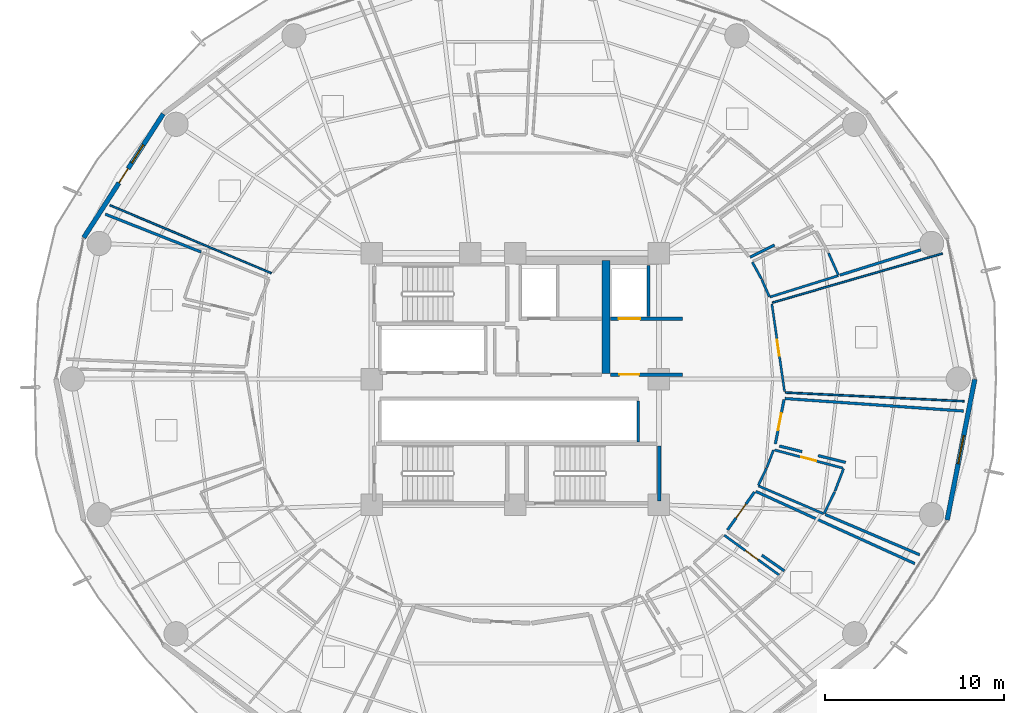
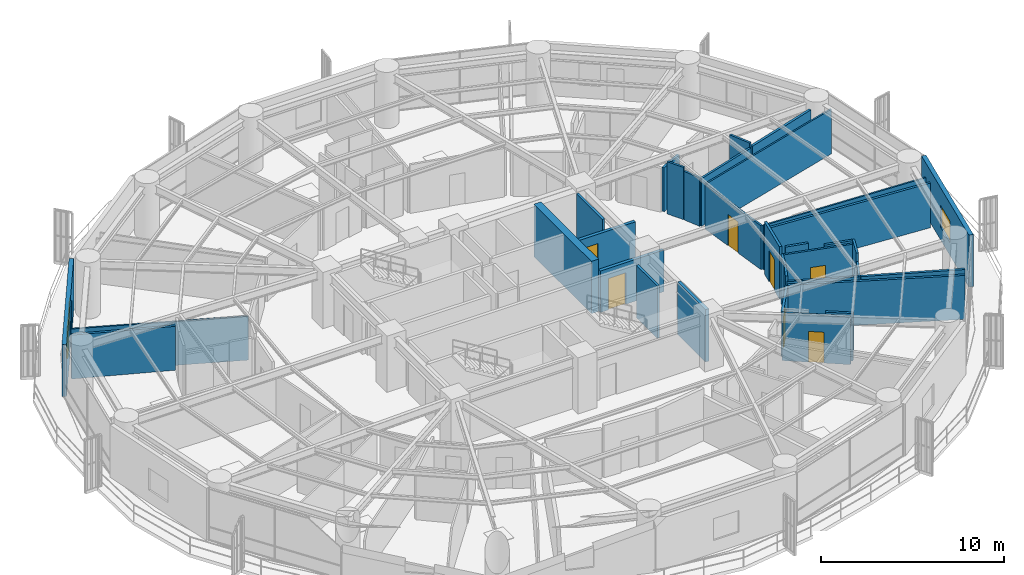
# One storey, part 31 of 37: 34 walls, 8 doors, 2 windows, 10 openings.
"""IFC4 building model written with IfcOpenShell, lengths in metres."""

from ifc_helpers import new_model, si_unit, direction, frame, frame_2d, origin, place, context, subcontext, project, spatial, rectangle, extrude, material, layer, layer_set, type_object, element, fill, save


model = new_model("IFC4")

# Units and contexts
model_context = context("Model", 3, precision=1e-05, world=origin(), true_north=direction((0.0, 1.0)))
body_context = subcontext(model_context, "Body", "Model", "MODEL_VIEW")
ifc_project = project(units=[si_unit("LENGTHUNIT", "METRE"), si_unit("AREAUNIT", "SQUARE_METRE"), si_unit("VOLUMEUNIT", "CUBIC_METRE"), si_unit("PLANEANGLEUNIT", "RADIAN"), si_unit("MASSUNIT", "GRAM", prefix="KILO")], contexts=[model_context])

# Site, building, storey
site_placement = place(None, origin())
site = spatial("IfcSite", under=ifc_project, at=site_placement, CompositionType="ELEMENT")
building_placement = place(site_placement, origin())
building = spatial("IfcBuilding", under=site, at=building_placement, Name="Kelanora Arch Commons", CompositionType="ELEMENT")
storey_placement = place(building_placement, frame((0.0, 0.0, 110.10009765625)))
storey = spatial("IfcBuildingStorey", under=building, at=storey_placement, Name="L28", CompositionType="ELEMENT", Elevation=110.10009765625)

# Walls
ifc_material_1 = material(Name="Autoclaved aerated concrete blockwork with fire plaster", Category="masonry")
ifc_layer_1 = layer(ifc_material_1, 0.14990234375)
ifc_layer_set_1 = layer_set([ifc_layer_1], Name="Autoclaved aerated concrete blockwork with fire plaster")
wall_type_1 = type_object("IfcWallType", Name="W-COMP-150", PredefinedType="PARTITIONING", material=ifc_layer_set_1)
wall_1_placement = place(storey_placement, frame((81.419921875, 61.47998046875, 0.0), z_axis=(0.0, 0.0, 1.0), x_axis=(0.0, 1.0, 0.0)))
element("IfcWall", 1, at=wall_1_placement, inside=storey, type_object=wall_type_1, Name="Firefighting Lift 2 East Shaft Wall L28", PredefinedType="PARTITIONING", context=body_context, shape_type="SweptSolid", body=[
    extrude(rectangle(XDim=2.840087890625, YDim=0.14990234375, at=frame_2d((1.419921875, 0.0))), origin(), (0.0, 0.0, 1.0), 3.47998046875),
])
wall_2_placement = place(storey_placement, frame((80.840087890625, 54.47998046875, 0.0), z_axis=(0.0, 0.0, 1.0), x_axis=(0.0, 1.0, 0.0)))
element("IfcWall", 2, at=wall_2_placement, inside=storey, type_object=wall_type_1, Name="South Lift Bank East Wall L28", PredefinedType="PARTITIONING", context=body_context, shape_type="SweptSolid", body=[
    extrude(rectangle(XDim=2.2900390625, YDim=0.14990234375, at=frame_2d((1.14501953125, 0.0))), origin(), (0.0, 0.0, 1.0), 3.47998046875),
])

# Wall, opening, door
wall_3_placement = place(storey_placement, frame((85.82080078125, 49.5908203125, 0.0), z_axis=(0.0, 0.0, 1.0), x_axis=(0.579332158596, 0.815091559284, 0.0)))
wall_3 = element("IfcWall", 3, at=wall_3_placement, inside=storey, type_object=wall_type_1, Name="Co-Living Studio L28-02 Entry Partition", PredefinedType="PARTITIONING", context=body_context, shape_type="SweptSolid", body=[
    extrude(rectangle(XDim=2.594970703125, YDim=0.14990234375, at=frame_2d((1.29736328125, 0.0))), origin(), (0.0, 0.0, 1.0), 2.9248046875),
])
opening_1_placement = place(wall_3_placement, frame((0.822998046875, 0.0, 0.0)))
opening_1 = element("IfcOpeningElement", 4, at=opening_1_placement, cuts=wall_3, Name="Opening D-CLU1", PredefinedType="OPENING", context=body_context, shape_type="SweptSolid", body=[
    extrude(rectangle(XDim=0.949951171875, YDim=2.080078125, at=frame_2d((0.47509765625, 1.0400390625))), frame((0.0, 0.0849609375, 0.0), z_axis=(0.0, -1.0, 0.0), x_axis=(1.0, 0.0, 0.0)), (0.0, 0.0, 1.0), 0.169921875),
])
ifc_material_2 = material(Name="Solid-core acoustic timber cluster entry fire door", Category="wood")
door_type_1 = type_object("IfcDoorType", Name="D-CLU-95", OperationType="NOTDEFINED", PredefinedType="DOOR", material=ifc_material_2)
door_1_placement = place(opening_1_placement, origin())
door_1 = element("IfcDoor", 5, at=door_1_placement, inside=storey, type_object=door_type_1, Name="Co-Living Studio L28-02 Door", OperationType="SINGLE_SWING_LEFT", OverallHeight=2.080078125, OverallWidth=0.949951171875, PredefinedType="DOOR", context=body_context, shape_type="SweptSolid", body=[
    extrude(rectangle(XDim=0.949951171875, YDim=2.080078125, at=frame_2d((0.47509765625, 1.0400390625))), frame((0.0, 0.02490234375, 0.0), z_axis=(0.0, -1.0, 0.0), x_axis=(1.0, 0.0, 0.0)), (0.0, 0.0, 1.0), 0.050048828125),
])
fill(opening_1, door_1)

wall_4_placement = place(storey_placement, frame((88.484619140625, 54.3837890625, 0.0), z_axis=(0.0, 0.0, 1.0), x_axis=(0.192670392626, 0.981263532292, 0.0)))
wall_4 = element("IfcWall", 6, at=wall_4_placement, inside=storey, type_object=wall_type_1, Name="Co-Living Studio L28-03 Entry Partition", PredefinedType="PARTITIONING", context=body_context, shape_type="SweptSolid", body=[
    extrude(rectangle(XDim=2.521728515625, YDim=0.14990234375, at=frame_2d((1.2607421875, 0.0))), origin(), (0.0, 0.0, 1.0), 3.47998046875),
])
opening_2_placement = place(wall_4_placement, frame((0.785888671875, 0.0, 0.0)))
opening_2 = element("IfcOpeningElement", 7, at=opening_2_placement, cuts=wall_4, Name="Opening D-CLU1", PredefinedType="OPENING", context=body_context, shape_type="SweptSolid", body=[
    extrude(rectangle(XDim=0.949951171875, YDim=2.080078125, at=frame_2d((0.47509765625, 1.0400390625))), frame((0.0, 0.0849609375, 0.0), z_axis=(0.0, -1.0, 0.0), x_axis=(1.0, 0.0, 0.0)), (0.0, 0.0, 1.0), 0.169921875),
])
door_2_placement = place(opening_2_placement, origin())
door_2 = element("IfcDoor", 8, at=door_2_placement, inside=storey, type_object=door_type_1, Name="Co-Living Studio L28-03 Door", OperationType="SINGLE_SWING_LEFT", OverallHeight=2.080078125, OverallWidth=0.949951171875, PredefinedType="DOOR", context=body_context, shape_type="SweptSolid", body=[
    extrude(rectangle(XDim=0.949951171875, YDim=2.080078125, at=frame_2d((0.47509765625, 1.0400390625))), frame((0.0, 0.02490234375, 0.0), z_axis=(0.0, -1.0, 0.0), x_axis=(1.0, 0.0, 0.0)), (0.0, 0.0, 1.0), 0.050048828125),
])
fill(opening_2, door_2)

# Walls
wall_5_placement = place(storey_placement, frame((87.3955078125, 51.738525390625, 0.0), z_axis=(0.0, 0.0, 1.0), x_axis=(0.910573449225, -0.413347303809, 0.0)))
element("IfcWall", 9, at=wall_5_placement, inside=storey, type_object=wall_type_1, Name="Co-Living Studio L28-02 Enclosure Partition 2", PredefinedType="PARTITIONING", context=body_context, shape_type="SweptSolid", body=[
    extrude(rectangle(XDim=9.730224609375, YDim=0.14990234375, at=frame_2d((4.865234375, 0.0))), origin(), (0.0, 0.0, 1.0), 2.9248046875),
])
wall_6_placement = place(storey_placement, frame((88.984130859375, 47.31298828125, 0.0), z_axis=(0.0, 0.0, 1.0), x_axis=(-0.820375371548, 0.571825366486, 0.0)))
element("IfcWall", 10, at=wall_6_placement, inside=storey, type_object=wall_type_1, Name="Co-Living Studio L28-02 Enclosure Partition 7", PredefinedType="PARTITIONING", context=body_context, shape_type="SweptSolid", body=[
    extrude(rectangle(XDim=1.5224609375, YDim=0.14990234375, at=frame_2d((0.76123046875, 0.0))), origin(), (0.0, 0.0, 1.0), 3.1748046875),
])
wall_7_placement = place(storey_placement, frame((89.02197265625, 56.914306640625, 0.0), z_axis=(0.0, 0.0, 1.0), x_axis=(0.997546611002, -0.070005420344, 0.0)))
element("IfcWall", 11, at=wall_7_placement, inside=storey, type_object=wall_type_1, Name="Co-Living Studio L28-03 Enclosure Partition 2", PredefinedType="PARTITIONING", context=body_context, shape_type="SweptSolid", body=[
    extrude(rectangle(XDim=9.963623046875, YDim=0.14990234375, at=frame_2d((4.98193359375, 0.0))), origin(), (0.0, 0.0, 1.0), 2.974853515625),
])
wall_8_placement = place(storey_placement, frame((96.529296875, 48.206787109375, 0.0), z_axis=(0.0, 0.0, 1.0), x_axis=(-0.919671747219, 0.392688015308, 0.0)))
element("IfcWall", 12, at=wall_8_placement, inside=storey, type_object=wall_type_1, Name="Co-Living Studio L28-03 Enclosure Partition 5", PredefinedType="PARTITIONING", context=body_context, shape_type="SweptSolid", body=[
    extrude(rectangle(XDim=5.720947265625, YDim=0.14990234375, at=frame_2d((2.8603515625, 0.0))), origin(), (0.0, 0.0, 1.0), 2.9248046875),
])
wall_9_placement = place(storey_placement, frame((92.402099609375, 53.355712890625, 0.0), z_axis=(0.0, 0.0, 1.0), x_axis=(-0.97090160449, 0.23947875563, 0.0)))
element("IfcWall", 13, at=wall_9_placement, inside=storey, type_object=wall_type_1, Name="Co-Living Studio L28-03 Enclosure Partition 7", PredefinedType="PARTITIONING", context=body_context, shape_type="SweptSolid", body=[
    extrude(rectangle(XDim=1.5791015625, YDim=0.14990234375, at=frame_2d((0.78955078125, 0.0))), origin(), (0.0, 0.0, 1.0), 3.1748046875),
])
wall_10_placement = place(storey_placement, frame((89.9755859375, 53.954345703125, 0.0), z_axis=(0.0, 0.0, 1.0), x_axis=(-0.97090790697, 0.23945320249, 0.0)))
element("IfcWall", 14, at=wall_10_placement, inside=storey, type_object=wall_type_1, Name="Co-Living Studio L28-03 Enclosure Partition 7", PredefinedType="PARTITIONING", context=body_context, shape_type="SweptSolid", body=[
    extrude(rectangle(XDim=1.30517578125, YDim=0.14990234375, at=frame_2d((0.652587890625, 0.0))), origin(), (0.0, 0.0, 1.0), 3.47998046875),
])
wall_11_placement = place(storey_placement, frame((96.587646484375, 65.197998046875, 0.0), z_axis=(0.0, 0.0, 1.0), x_axis=(-0.954386046758, -0.298575407148, 0.0)))
element("IfcWall", 15, at=wall_11_placement, inside=storey, type_object=wall_type_1, Name="Co-Living Studio L28-05 Enclosure Partition 5", PredefinedType="PARTITIONING", context=body_context, shape_type="SweptSolid", body=[
    extrude(rectangle(XDim=4.7197265625, YDim=0.14990234375, at=frame_2d((2.35986328125, 0.0))), origin(), (0.0, 0.0, 1.0), 3.23486328125),
])
wall_12_placement = place(storey_placement, frame((88.433837890625, 65.47119140625, 0.0), z_axis=(0.0, 0.0, 1.0), x_axis=(-0.893103040094, -0.44985215324, 0.0)))
element("IfcWall", 16, at=wall_12_placement, inside=storey, type_object=wall_type_1, Name="Co-Living Studio L28-05 Enclosure Partition 7", PredefinedType="PARTITIONING", context=body_context, shape_type="SweptSolid", body=[
    extrude(rectangle(XDim=1.516357421875, YDim=0.14990234375, at=frame_2d((0.75830078125, 0.0))), origin(), (0.0, 0.0, 1.0), 2.9248046875),
])
wall_13_placement = place(storey_placement, frame((51.1533203125, 67.185302734375, 0.0), z_axis=(0.0, 0.0, 1.0), x_axis=(0.930084837922, -0.367344789358, 0.0)))
element("IfcWall", 17, at=wall_13_placement, inside=storey, type_object=wall_type_1, Name="Co-Living Studio L28-11 Enclosure Partition 5", PredefinedType="PARTITIONING", context=body_context, shape_type="SweptSolid", body=[
    extrude(rectangle(XDim=5.737548828125, YDim=0.14990234375, at=frame_2d((2.86865234375, 0.0))), origin(), (0.0, 0.0, 1.0), 2.9248046875),
])
ifc_material_3 = material(Name="Concrete C60/75", Category="concrete")
ifc_layer_2 = layer(ifc_material_3, 0.449951171875)
ifc_layer_set_2 = layer_set([ifc_layer_2], Name="Concrete C60/75")
wall_type_2 = type_object("IfcWallType", Name="W-CORE-450", PredefinedType="SHEAR", material=ifc_layer_set_2)
wall_14_placement = place(storey_placement, frame((79.050048828125, 58.300048828125, 0.0), z_axis=(0.0, 0.0, 1.0), x_axis=(0.0, 1.0, 0.0)))
element("IfcWall", 18, at=wall_14_placement, inside=storey, type_object=wall_type_2, Name="Core Shear Spine L28-CE-N", PredefinedType="SHEAR", context=body_context, shape_type="SweptSolid", body=[
    extrude(rectangle(XDim=6.300048828125, YDim=0.449951171875, at=frame_2d((3.14990234375, 0.0))), origin(), (0.0, 0.0, 1.0), 3.489990234375),
])

# Wall, openings, door, window
ifc_material_4 = material(Name="Precast concrete C40/50 with terracotta rainscreen", Category="masonry")
ifc_layer_3 = layer(ifc_material_4, 0.260009765625)
ifc_layer_set_3 = layer_set([ifc_layer_3], Name="Precast concrete C40/50 with terracotta rainscreen")
wall_type_3 = type_object("IfcWallType", Name="W-EXT-TC", PredefinedType="SOLIDWALL", material=ifc_layer_set_3)
wall_15_placement = place(storey_placement, frame((54.381103515625, 72.771484375, 0.0), z_axis=(0.0, 0.0, 1.0), x_axis=(-0.540620528459, -0.841266571432, 0.0)))
wall_15 = element("IfcWall", 19, at=wall_15_placement, inside=storey, type_object=wall_type_3, Name="Terracotta Exterior Wall L28-B07", PredefinedType="SOLIDWALL", context=body_context, shape_type="SweptSolid", body=[
    extrude(rectangle(XDim=8.19287109375, YDim=0.260009765625, at=frame_2d((4.096435546875, 0.0))), origin(), (0.0, 0.0, 1.0), 3.474853515625),
])
opening_3_placement = place(wall_15_placement, frame((3.62109375, 0.0, 0.0)))
opening_3 = element("IfcOpeningElement", 20, at=opening_3_placement, cuts=wall_15, Name="Opening DB-01", PredefinedType="OPENING", context=body_context, shape_type="SweptSolid", body=[
    extrude(rectangle(XDim=0.949951171875, YDim=2.10009765625, at=frame_2d((0.47509765625, 1.050048828125))), frame((0.0, 0.14013671875, 0.0), z_axis=(0.0, -1.0, 0.0), x_axis=(1.0, 0.0, 0.0)), (0.0, 0.0, 1.0), 0.280029296875),
])
opening_4_placement = place(wall_15_placement, frame((2.041015625, 0.0, 0.85009765625)))
opening_4 = element("IfcOpeningElement", 21, at=opening_4_placement, cuts=wall_15, Name="Opening WN-02", PredefinedType="OPENING", context=body_context, shape_type="SweptSolid", body=[
    extrude(rectangle(XDim=1.199951171875, YDim=1.449951171875, at=frame_2d((0.60009765625, 0.72509765625))), frame((0.0, 0.14013671875, 0.0), z_axis=(0.0, -1.0, 0.0), x_axis=(1.0, 0.0, 0.0)), (0.0, 0.0, 1.0), 0.280029296875),
])
ifc_material_5 = material(Name="Terracotta-aluminium thermally broken glazed balcony door", Category="masonry")
door_type_2 = type_object("IfcDoorType", Name="D-BAL-10", OperationType="NOTDEFINED", PredefinedType="DOOR", material=ifc_material_5)
door_3_placement = place(opening_3_placement, frame((0.949951171875, 0.0, 0.0), z_axis=(0.0, 0.0, 1.0), x_axis=(-1.0, 0.0, 0.0)))
door_3 = element("IfcDoor", 22, at=door_3_placement, inside=storey, type_object=door_type_2, Name="Wave Balcony Door L28-B07", OperationType="SINGLE_SWING_RIGHT", OverallHeight=2.10009765625, OverallWidth=0.949951171875, PredefinedType="DOOR", context=body_context, shape_type="SweptSolid", body=[
    extrude(rectangle(XDim=0.949951171875, YDim=2.10009765625, at=frame_2d((0.47509765625, 1.050048828125))), frame((0.0, 0.02490234375, 0.0), z_axis=(0.0, -1.0, 0.0), x_axis=(1.0, 0.0, 0.0)), (0.0, 0.0, 1.0), 0.050048828125),
])
fill(opening_3, door_3)
ifc_material_6 = material(Name="Terracotta-anodised aluminium frame with operable awning sash", Category="masonry")
window_type_1 = type_object("IfcWindowType", Name="WIN-CL-12", PartitioningType="SINGLE_PANEL", PredefinedType="WINDOW", material=ifc_material_6)
window_1_placement = place(opening_4_placement, origin())
window_1 = element("IfcWindow", 23, at=window_1_placement, inside=storey, type_object=window_type_1, Name="Co-Living Operable Window L28-B07", OverallHeight=1.449951171875, OverallWidth=1.199951171875, PartitioningType="SINGLE_PANEL", PredefinedType="WINDOW", context=body_context, shape_type="SweptSolid", body=[
    extrude(rectangle(XDim=1.199951171875, YDim=1.449951171875, at=frame_2d((0.60009765625, 0.72509765625))), frame((0.0, 0.030029296875, 0.0), z_axis=(0.0, -1.0, 0.0), x_axis=(1.0, 0.0, 0.0)), (0.0, 0.0, 1.0), 0.06005859375),
])
fill(opening_4, window_1)

# Wall, opening, window
wall_16_placement = place(storey_placement, frame((98.05908203125, 50.148193359375, 0.0), z_axis=(0.0, 0.0, 1.0), x_axis=(0.192581843632, 0.981280914674, 0.0)))
wall_16 = element("IfcWall", 24, at=wall_16_placement, inside=storey, type_object=wall_type_3, Name="Terracotta Exterior Wall L28-B17", PredefinedType="SOLIDWALL", context=body_context, shape_type="SweptSolid", body=[
    extrude(rectangle(XDim=7.986572265625, YDim=0.260009765625, at=frame_2d((3.9931640625, 0.0))), origin(), (0.0, 0.0, 1.0), 3.474853515625),
])
opening_5_placement = place(wall_16_placement, frame((3.193115234375, 0.0, 0.85009765625)))
opening_5 = element("IfcOpeningElement", 25, at=opening_5_placement, cuts=wall_16, Name="Opening WN-01", PredefinedType="OPENING", context=body_context, shape_type="SweptSolid", body=[
    extrude(rectangle(XDim=1.60009765625, YDim=1.449951171875, at=frame_2d((0.800048828125, 0.72509765625))), frame((0.0, 0.14013671875, 0.0), z_axis=(0.0, -1.0, 0.0), x_axis=(1.0, 0.0, 0.0)), (0.0, 0.0, 1.0), 0.280029296875),
])
ifc_material_7 = material(Name="Terracotta-anodised aluminium frame with operable low-E glazing", Category="masonry")
window_type_2 = type_object("IfcWindowType", Name="WIN-CL-18", PartitioningType="DOUBLE_PANEL_VERTICAL", PredefinedType="WINDOW", material=ifc_material_7)
window_2_placement = place(opening_5_placement, origin())
window_2 = element("IfcWindow", 26, at=window_2_placement, inside=storey, type_object=window_type_2, Name="Co-Living Operable Window L28-B17", OverallHeight=1.449951171875, OverallWidth=1.60009765625, PartitioningType="SINGLE_PANEL", PredefinedType="WINDOW", context=body_context, shape_type="SweptSolid", body=[
    extrude(rectangle(XDim=1.60009765625, YDim=1.449951171875, at=frame_2d((0.800048828125, 0.72509765625))), frame((0.0, 0.030029296875, 0.0), z_axis=(0.0, -1.0, 0.0), x_axis=(1.0, 0.0, 0.0)), (0.0, 0.0, 1.0), 0.06005859375),
])
fill(opening_5, window_2)

# Wall, opening, door
ifc_material_8 = material(Name="Concrete C40/50", Category="concrete")
ifc_layer_4 = layer(ifc_material_8, 0.199951171875)
ifc_layer_set_4 = layer_set([ifc_layer_4], Name="Concrete C40/50")
wall_type_4 = type_object("IfcWallType", Name="W-FFL-200", PredefinedType="SOLIDWALL", material=ifc_layer_set_4)
wall_17_placement = place(storey_placement, frame((79.300048828125, 61.35009765625, 0.0), z_axis=(0.0, 0.0, 1.0), x_axis=(1.0, 0.0, 0.0)))
wall_17 = element("IfcWall", 27, at=wall_17_placement, inside=storey, type_object=wall_type_4, Name="Firefighting Lift 2 Shaft Front L28", PredefinedType="SOLIDWALL", context=body_context, shape_type="SweptSolid", body=[
    extrude(rectangle(XDim=4.0, YDim=0.199951171875, at=frame_2d((2.0, 0.0))), origin(), (0.0, 0.0, 1.0), 2.77490234375),
])
opening_6_placement = place(wall_17_placement, frame((0.449951171875, 0.0, 0.0)))
opening_6 = element("IfcOpeningElement", 28, at=opening_6_placement, cuts=wall_17, Name="Opening LD-FF", PredefinedType="OPENING", context=body_context, shape_type="SweptSolid", body=[
    extrude(rectangle(XDim=1.199951171875, YDim=2.14990234375, at=frame_2d((0.60009765625, 1.074951171875))), frame((0.0, 0.10986328125, 0.0), z_axis=(0.0, -1.0, 0.0), x_axis=(1.0, 0.0, 0.0)), (0.0, 0.0, 1.0), 0.219970703125),
])
ifc_material_9 = material(Name="Fire-rated firefighters lift sliding landing door")
door_type_3 = type_object("IfcDoorType", Name="D-LIFT-FF", OperationType="NOTDEFINED", PredefinedType="DOOR", material=ifc_material_9)
door_4_placement = place(opening_6_placement, origin())
door_4 = element("IfcDoor", 29, at=door_4_placement, inside=storey, type_object=door_type_3, Name="Firefighting Lift LF-FF2 Landing Door L28", OperationType="DOUBLE_DOOR_SLIDING", OverallHeight=2.14990234375, OverallWidth=1.199951171875, PredefinedType="DOOR", context=body_context, shape_type="SweptSolid", body=[
    extrude(rectangle(XDim=1.199951171875, YDim=2.14990234375, at=frame_2d((0.60009765625, 1.074951171875))), frame((0.0, 0.02490234375, 0.0), z_axis=(0.0, -1.0, 0.0), x_axis=(1.0, 0.0, 0.0)), (0.0, 0.0, 1.0), 0.050048828125),
])
fill(opening_6, door_4)

wall_18_placement = place(storey_placement, frame((79.300048828125, 58.25, 0.0), z_axis=(0.0, 0.0, 1.0), x_axis=(1.0, 0.0, 0.0)))
wall_18 = element("IfcWall", 30, at=wall_18_placement, inside=storey, type_object=wall_type_4, Name="Firefighting Lobby 2 Enclosure Wall L28", PredefinedType="SOLIDWALL", context=body_context, shape_type="SweptSolid", body=[
    extrude(rectangle(XDim=4.0, YDim=0.199951171875, at=frame_2d((2.0, 0.0))), origin(), (0.0, 0.0, 1.0), 2.77490234375),
])
opening_7_placement = place(wall_18_placement, frame((0.5, 0.0, 0.0)))
opening_7 = element("IfcOpeningElement", 31, at=opening_7_placement, cuts=wall_18, Name="Opening D-FFL1", PredefinedType="OPENING", context=body_context, shape_type="SweptSolid", body=[
    extrude(rectangle(XDim=1.10009765625, YDim=2.10009765625, at=frame_2d((0.550048828125, 1.050048828125))), frame((0.0, 0.10986328125, 0.0), z_axis=(0.0, -1.0, 0.0), x_axis=(1.0, 0.0, 0.0)), (0.0, 0.0, 1.0), 0.219970703125),
])
ifc_material_10 = material(Name="Smoke-sealed firefighting lobby fire door")
door_type_4 = type_object("IfcDoorType", Name="D-FFL-110", OperationType="NOTDEFINED", PredefinedType="DOOR", material=ifc_material_10)
door_5_placement = place(opening_7_placement, frame((1.10009765625, 0.0, 0.0), z_axis=(0.0, 0.0, 1.0), x_axis=(-1.0, 0.0, 0.0)))
door_5 = element("IfcDoor", 32, at=door_5_placement, inside=storey, type_object=door_type_4, Name="Firefighting Lobby 2 Door L28", OperationType="SINGLE_SWING_RIGHT", OverallHeight=2.10009765625, OverallWidth=1.10009765625, PredefinedType="DOOR", context=body_context, shape_type="SweptSolid", body=[
    extrude(rectangle(XDim=1.10009765625, YDim=2.10009765625, at=frame_2d((0.550048828125, 1.050048828125))), frame((0.0, 0.02490234375, 0.0), z_axis=(0.0, -1.0, 0.0), x_axis=(1.0, 0.0, 0.0)), (0.0, 0.0, 1.0), 0.050048828125),
])
fill(opening_7, door_5)

# Walls
ifc_material_11 = material(Name="Lightweight fire-rated acoustic stud partition")
ifc_layer_5 = layer(ifc_material_11, 0.10009765625)
ifc_layer_set_5 = layer_set([ifc_layer_5], Name="Lightweight fire-rated acoustic stud partition")
wall_type_5 = type_object("IfcWallType", Name="W-PART-100", PredefinedType="PARTITIONING", material=ifc_layer_set_5)
wall_19_placement = place(storey_placement, frame((88.3203125, 62.258056640625, 0.0), z_axis=(0.0, 0.0, 1.0), x_axis=(0.960729440591, 0.277486832086, 0.0)))
element("IfcWall", 33, at=wall_19_placement, inside=storey, type_object=wall_type_5, Name="Communal Dining and Social Hall L28-04 Enclosure Partition 2", PredefinedType="PARTITIONING", context=body_context, shape_type="SweptSolid", body=[
    extrude(rectangle(XDim=9.859375, YDim=0.10009765625, at=frame_2d((4.9296875, 0.0))), origin(), (0.0, 0.0, 1.0), 2.974853515625),
])
wall_20_placement = place(storey_placement, frame((99.001953125, 56.763916015625, 0.0), z_axis=(0.0, 0.0, 1.0), x_axis=(-0.998824271059, 0.048477577742, 0.0)))
element("IfcWall", 34, at=wall_20_placement, inside=storey, type_object=wall_type_5, Name="Communal Dining and Social Hall L28-04 Enclosure Partition 4", PredefinedType="PARTITIONING", context=body_context, shape_type="SweptSolid", body=[
    extrude(rectangle(XDim=9.966552734375, YDim=0.10009765625, at=frame_2d((4.9833984375, 0.0))), origin(), (0.0, 0.0, 1.0), 2.974853515625),
])
wall_21_placement = place(storey_placement, frame((60.404052734375, 63.8955078125, 0.0), z_axis=(0.0, 0.0, 1.0), x_axis=(-0.921616535876, 0.388101740268, 0.0)))
element("IfcWall", 35, at=wall_21_placement, inside=storey, type_object=wall_type_5, Name="Communal Dining and Social Hall L28-10 Enclosure Partition 2", PredefinedType="PARTITIONING", context=body_context, shape_type="SweptSolid", body=[
    extrude(rectangle(XDim=9.758056640625, YDim=0.10009765625, at=frame_2d((4.87890625, 0.0))), origin(), (0.0, 0.0, 1.0), 2.9248046875),
])

# Wall, opening, door
ifc_material_12 = material(Name="Acoustic twin-stud fire-rated gypsum partition")
ifc_layer_6 = layer(ifc_material_12, 0.1201171875)
ifc_layer_set_6 = layer_set([ifc_layer_6], Name="Acoustic twin-stud fire-rated gypsum partition")
wall_type_6 = type_object("IfcWallType", Name="W-PART-120", PredefinedType="PARTITIONING", material=ifc_layer_set_6)
wall_22_placement = place(storey_placement, frame((88.998291015625, 57.308349609375, 0.0), z_axis=(0.0, 0.0, 1.0), x_axis=(-0.143556297193, 0.989642152263, 0.0)))
wall_22 = element("IfcWall", 36, at=wall_22_placement, inside=storey, type_object=wall_type_6, Name="Communal Dining and Social Hall L28-04 Entry Partition", PredefinedType="PARTITIONING", context=body_context, shape_type="SweptSolid", body=[
    extrude(rectangle(XDim=4.93017578125, YDim=0.1201171875, at=frame_2d((2.465087890625, 0.0))), origin(), (0.0, 0.0, 1.0), 2.9248046875),
])
opening_8_placement = place(wall_22_placement, frame((2.014892578125, 0.0, 0.0)))
opening_8 = element("IfcOpeningElement", 37, at=opening_8_placement, cuts=wall_22, Name="Opening D-RM1", PredefinedType="OPENING", context=body_context, shape_type="SweptSolid", body=[
    extrude(rectangle(XDim=0.89990234375, YDim=2.080078125, at=frame_2d((0.449951171875, 1.0400390625))), frame((0.0, 0.070068359375, 0.0), z_axis=(0.0, -1.0, 0.0), x_axis=(1.0, 0.0, 0.0)), (0.0, 0.0, 1.0), 0.14013671875),
])
ifc_material_13 = material(Name="Acoustic fire-rated timber study and lounge door", Category="wood")
door_type_5 = type_object("IfcDoorType", Name="D-ROOM-90", OperationType="NOTDEFINED", PredefinedType="DOOR", material=ifc_material_13)
door_6_placement = place(opening_8_placement, origin())
door_6 = element("IfcDoor", 38, at=door_6_placement, inside=storey, type_object=door_type_5, Name="Communal Dining and Social Hall L28-04 Door", OperationType="SINGLE_SWING_RIGHT", OverallHeight=2.080078125, OverallWidth=0.89990234375, PredefinedType="DOOR", context=body_context, shape_type="SweptSolid", body=[
    extrude(rectangle(XDim=0.89990234375, YDim=2.080078125, at=frame_2d((0.449951171875, 1.0400390625))), frame((0.0, 0.02490234375, 0.0), z_axis=(0.0, -1.0, 0.0), x_axis=(1.0, 0.0, 0.0)), (0.0, 0.0, 1.0), 0.050048828125),
])
fill(opening_8, door_6)

# Wall
ifc_layer_7 = layer(ifc_material_8, 0.199951171875)
ifc_layer_set_7 = layer_set([ifc_layer_7], Name="Concrete C40/50")
wall_type_7 = type_object("IfcWallType", Name="W-STAIR-200", PredefinedType="SHEAR", material=ifc_layer_set_7)
wall_23_placement = place(storey_placement, frame((82.02001953125, 51.199951171875, 0.0), z_axis=(0.0, 0.0, 1.0), x_axis=(0.0, 1.0, 0.0)))
element("IfcWall", 39, at=wall_23_placement, inside=storey, type_object=wall_type_7, Name="Stair ST-T2 Shaft Wall E L28", PredefinedType="SHEAR", context=body_context, shape_type="SweptSolid", body=[
    extrude(rectangle(XDim=3.070068359375, YDim=0.199951171875, at=frame_2d((1.53515625, 0.0))), origin(), (0.0, 0.0, 1.0), 3.489990234375),
])

# Wall, opening, door
ifc_material_14 = material(Name="Moisture-resistant fire-rated cement-board plumbing wall")
ifc_layer_8 = layer(ifc_material_14, 0.1298828125)
ifc_layer_set_8 = layer_set([ifc_layer_8], Name="Moisture-resistant fire-rated cement-board plumbing wall")
wall_type_8 = type_object("IfcWallType", Name="W-WET-120", PredefinedType="PLUMBINGWALL", material=ifc_layer_set_8)
wall_24_placement = place(storey_placement, frame((85.64453125, 49.293701171875, 0.0), z_axis=(0.0, 0.0, 1.0), x_axis=(0.809536550173, -0.587069479647, 0.0)))
wall_24 = element("IfcWall", 40, at=wall_24_placement, inside=storey, type_object=wall_type_8, Name="En-Suite Shower WC L28-02 Entry Partition", PredefinedType="PLUMBINGWALL", context=body_context, shape_type="SweptSolid", body=[
    extrude(rectangle(XDim=3.7685546875, YDim=0.1298828125, at=frame_2d((1.88427734375, 0.0))), origin(), (0.0, 0.0, 1.0), 3.1748046875),
])
opening_9_placement = place(wall_24_placement, frame((1.4541015625, 0.0, 0.0)))
opening_9 = element("IfcOpeningElement", 41, at=opening_9_placement, cuts=wall_24, Name="Opening D-BT1", PredefinedType="OPENING", context=body_context, shape_type="SweptSolid", body=[
    extrude(rectangle(XDim=0.860107421875, YDim=2.050048828125, at=frame_2d((0.43017578125, 1.02490234375))), frame((0.0, 0.074951171875, 0.0), z_axis=(0.0, -1.0, 0.0), x_axis=(1.0, 0.0, 0.0)), (0.0, 0.0, 1.0), 0.14990234375),
])
ifc_material_15 = material(Name="Moisture-sealed fire-rated accessible bathroom door")
door_type_6 = type_object("IfcDoorType", Name="D-BATH-85", OperationType="NOTDEFINED", PredefinedType="DOOR", material=ifc_material_15)
door_7_placement = place(opening_9_placement, origin())
door_7 = element("IfcDoor", 42, at=door_7_placement, inside=storey, type_object=door_type_6, Name="En-Suite Shower WC L28-02 Door", OperationType="SINGLE_SWING_RIGHT", OverallHeight=2.050048828125, OverallWidth=0.860107421875, PredefinedType="DOOR", context=body_context, shape_type="SweptSolid", body=[
    extrude(rectangle(XDim=0.860107421875, YDim=2.050048828125, at=frame_2d((0.43017578125, 1.02490234375))), frame((0.0, 0.02490234375, 0.0), z_axis=(0.0, -1.0, 0.0), x_axis=(1.0, 0.0, 0.0)), (0.0, 0.0, 1.0), 0.050048828125),
])
fill(opening_9, door_7)

wall_25_placement = place(storey_placement, frame((88.447021484375, 54.046630859375, 0.0), z_axis=(0.0, 0.0, 1.0), x_axis=(0.966509259567, -0.25663174233, 0.0)))
wall_25 = element("IfcWall", 43, at=wall_25_placement, inside=storey, type_object=wall_type_8, Name="En-Suite Shower WC L28-03 Entry Partition", PredefinedType="PLUMBINGWALL", context=body_context, shape_type="SweptSolid", body=[
    extrude(rectangle(XDim=3.92138671875, YDim=0.1298828125, at=frame_2d((1.960693359375, 0.0))), origin(), (0.0, 0.0, 1.0), 3.1748046875),
])
opening_10_placement = place(wall_25_placement, frame((1.531005859375, 0.0, 0.0)))
opening_10 = element("IfcOpeningElement", 44, at=opening_10_placement, cuts=wall_25, Name="Opening D-BT1", PredefinedType="OPENING", context=body_context, shape_type="SweptSolid", body=[
    extrude(rectangle(XDim=0.860107421875, YDim=2.050048828125, at=frame_2d((0.43017578125, 1.02490234375))), frame((0.0, 0.074951171875, 0.0), z_axis=(0.0, -1.0, 0.0), x_axis=(1.0, 0.0, 0.0)), (0.0, 0.0, 1.0), 0.14990234375),
])
door_8_placement = place(opening_10_placement, origin())
door_8 = element("IfcDoor", 45, at=door_8_placement, inside=storey, type_object=door_type_6, Name="En-Suite Shower WC L28-03 Door", OperationType="SINGLE_SWING_RIGHT", OverallHeight=2.050048828125, OverallWidth=0.860107421875, PredefinedType="DOOR", context=body_context, shape_type="SweptSolid", body=[
    extrude(rectangle(XDim=0.860107421875, YDim=2.050048828125, at=frame_2d((0.43017578125, 1.02490234375))), frame((0.0, 0.02490234375, 0.0), z_axis=(0.0, -1.0, 0.0), x_axis=(1.0, 0.0, 0.0)), (0.0, 0.0, 1.0), 0.050048828125),
])
fill(opening_10, door_8)

# Walls
wall_26_placement = place(storey_placement, frame((87.53271484375, 52.071044921875, 0.0), z_axis=(0.0, 0.0, 1.0), x_axis=(0.433586527714, 0.90111193699, 0.0)))
element("IfcWall", 46, at=wall_26_placement, inside=storey, type_object=wall_type_8, Name="En-Suite Shower WC L28-03 Enclosure Partition 1", PredefinedType="PLUMBINGWALL", context=body_context, shape_type="SweptSolid", body=[
    extrude(rectangle(XDim=1.057373046875, YDim=0.1298828125, at=frame_2d((0.52880859375, 0.0))), origin(), (0.0, 0.0, 1.0), 3.23486328125),
])
wall_27_placement = place(storey_placement, frame((88.007080078125, 53.060791015625, 0.0), z_axis=(0.0, 0.0, 1.0), x_axis=(0.356410474394, 0.934329478151, 0.0)))
element("IfcWall", 47, at=wall_27_placement, inside=storey, type_object=wall_type_8, Name="En-Suite Shower WC L28-03 Enclosure Partition 2", PredefinedType="PLUMBINGWALL", context=body_context, shape_type="SweptSolid", body=[
    extrude(rectangle(XDim=1.051513671875, YDim=0.1298828125, at=frame_2d((0.52587890625, 0.0))), origin(), (0.0, 0.0, 1.0), 3.23486328125),
])
wall_28_placement = place(storey_placement, frame((92.287841796875, 53.00634765625, 0.0), z_axis=(0.0, 0.0, 1.0), x_axis=(-0.357880433235, -0.933767420457, 0.0)))
element("IfcWall", 48, at=wall_28_placement, inside=storey, type_object=wall_type_8, Name="En-Suite Shower WC L28-03 Enclosure Partition 4", PredefinedType="PLUMBINGWALL", context=body_context, shape_type="SweptSolid", body=[
    extrude(rectangle(XDim=1.340576171875, YDim=0.1298828125, at=frame_2d((0.67041015625, 0.0))), origin(), (0.0, 0.0, 1.0), 3.47998046875),
])
wall_29_placement = place(storey_placement, frame((91.792236328125, 51.718017578125, 0.0), z_axis=(0.0, 0.0, 1.0), x_axis=(-0.436251309033, -0.899824869275, 0.0)))
element("IfcWall", 49, at=wall_29_placement, inside=storey, type_object=wall_type_8, Name="En-Suite Shower WC L28-03 Enclosure Partition 5", PredefinedType="PLUMBINGWALL", context=body_context, shape_type="SweptSolid", body=[
    extrude(rectangle(XDim=1.349365234375, YDim=0.1298828125, at=frame_2d((0.6748046875, 0.0))), origin(), (0.0, 0.0, 1.0), 2.9248046875),
])
wall_30_placement = place(storey_placement, frame((91.176513671875, 50.493896484375, 0.0), z_axis=(0.0, 0.0, 1.0), x_axis=(-0.919709759256, 0.392598979531, 0.0)))
element("IfcWall", 50, at=wall_30_placement, inside=storey, type_object=wall_type_8, Name="En-Suite Shower WC L28-03 Enclosure Partition 6", PredefinedType="PLUMBINGWALL", context=body_context, shape_type="SweptSolid", body=[
    extrude(rectangle(XDim=3.951171875, YDim=0.1298828125, at=frame_2d((1.9755859375, 0.0))), origin(), (0.0, 0.0, 1.0), 2.9248046875),
])
wall_31_placement = place(storey_placement, frame((88.15478515625, 62.581298828125, 0.0), z_axis=(0.0, 0.0, 1.0), x_axis=(-0.404334866234, 0.91461101893, 0.0)))
element("IfcWall", 51, at=wall_31_placement, inside=storey, type_object=wall_type_8, Name="En-Suite Shower WC L28-05 Enclosure Partition 1", PredefinedType="PLUMBINGWALL", context=body_context, shape_type="SweptSolid", body=[
    extrude(rectangle(XDim=1.055419921875, YDim=0.1298828125, at=frame_2d((0.52783203125, 0.0))), origin(), (0.0, 0.0, 1.0), 3.23486328125),
])
wall_32_placement = place(storey_placement, frame((87.71044921875, 63.58251953125, 0.0), z_axis=(0.0, 0.0, 1.0), x_axis=(-0.47920653002, 0.877702171346, 0.0)))
element("IfcWall", 52, at=wall_32_placement, inside=storey, type_object=wall_type_8, Name="En-Suite Shower WC L28-05 Enclosure Partition 2", PredefinedType="PLUMBINGWALL", context=body_context, shape_type="SweptSolid", body=[
    extrude(rectangle(XDim=1.061767578125, YDim=0.1298828125, at=frame_2d((0.53076171875, 0.0))), origin(), (0.0, 0.0, 1.0), 3.47998046875),
])
wall_33_placement = place(storey_placement, frame((91.453125, 65.01171875, 0.0), z_axis=(0.0, 0.0, 1.0), x_axis=(0.406407790836, -0.913691801182, 0.0)))
element("IfcWall", 53, at=wall_33_placement, inside=storey, type_object=wall_type_8, Name="En-Suite Shower WC L28-05 Enclosure Partition 5", PredefinedType="PLUMBINGWALL", context=body_context, shape_type="SweptSolid", body=[
    extrude(rectangle(XDim=1.345703125, YDim=0.1298828125, at=frame_2d((0.6728515625, 0.0))), origin(), (0.0, 0.0, 1.0), 3.47998046875),
])
wall_34_placement = place(storey_placement, frame((91.989013671875, 63.758056640625, 0.0), z_axis=(0.0, 0.0, 1.0), x_axis=(-0.954528980896, -0.298118138714, 0.0)))
element("IfcWall", 54, at=wall_34_placement, inside=storey, type_object=wall_type_8, Name="En-Suite Shower WC L28-05 Enclosure Partition 6", PredefinedType="PLUMBINGWALL", context=body_context, shape_type="SweptSolid", body=[
    extrude(rectangle(XDim=3.98828125, YDim=0.1298828125, at=frame_2d((1.994140625, 0.0))), origin(), (0.0, 0.0, 1.0), 3.1748046875),
])

save(model, "model.ifc")
